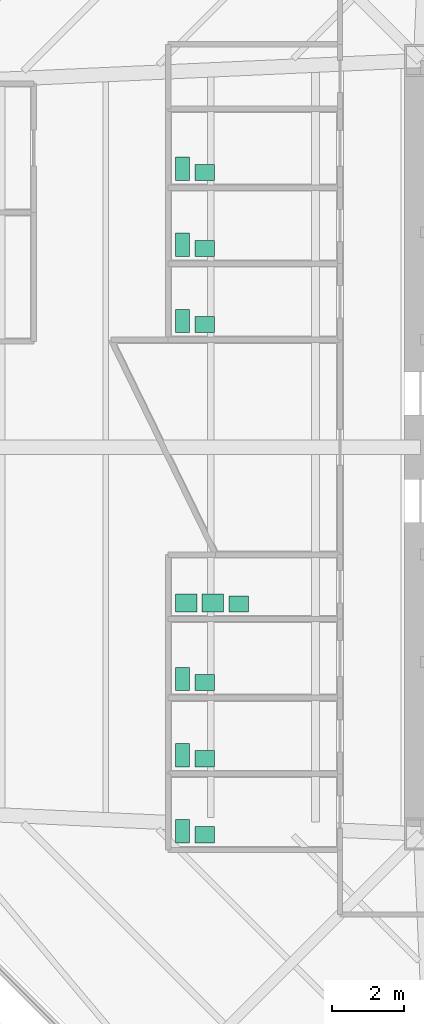
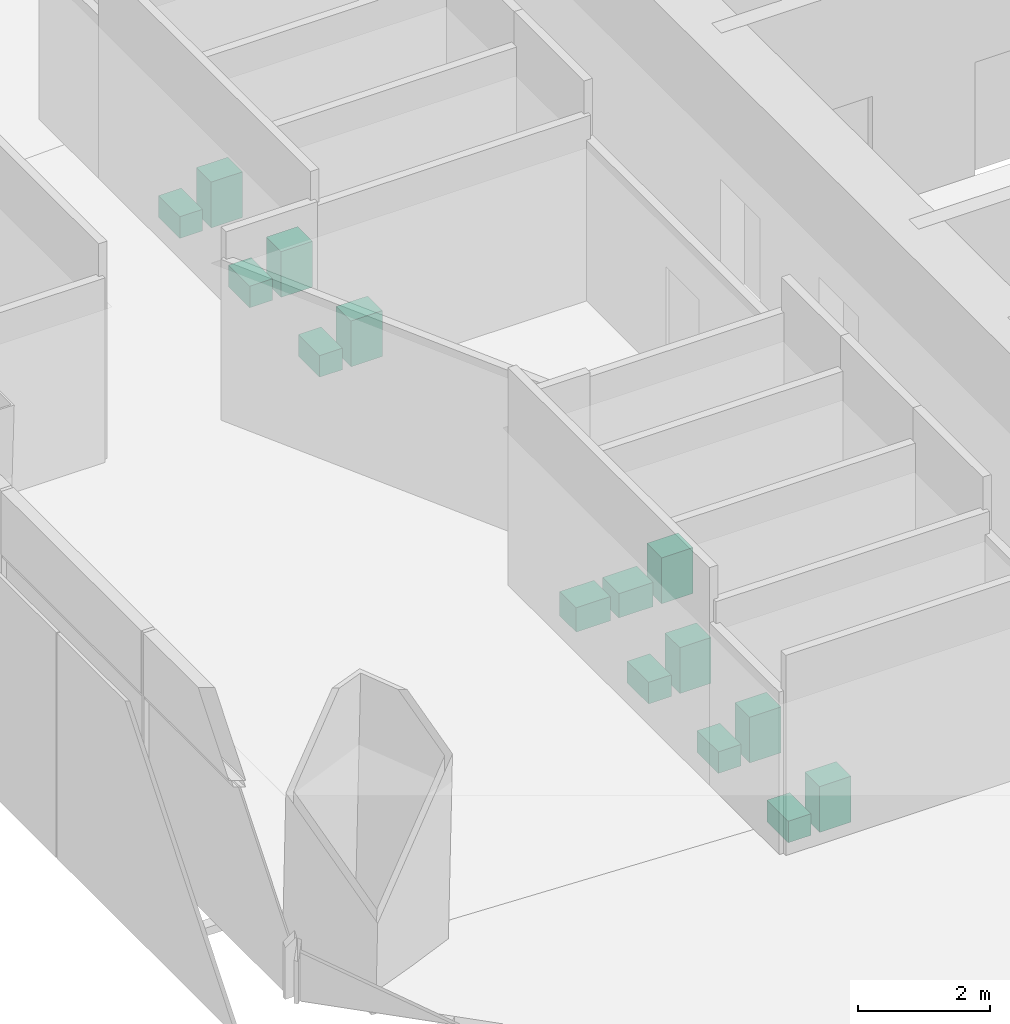
# One storey, part 15 of 15: 15 sanitary terminals.
"""IFC4 building model written with IfcOpenShell, lengths in metres."""

from ifc_helpers import new_model, si_unit, direction, frame, origin, origin_2d, place, context, subcontext, project, spatial, rectangle, extrude, material, type_object, element, save


model = new_model("IFC4")

# Units and contexts
model_context = context("Model", 3, precision=1e-05, world=origin(), true_north=direction((0.0, 1.0)))
body_context = subcontext(model_context, "Body", "Model", "MODEL_VIEW")
ifc_project = project(units=[si_unit("LENGTHUNIT", "METRE"), si_unit("AREAUNIT", "SQUARE_METRE"), si_unit("VOLUMEUNIT", "CUBIC_METRE"), si_unit("PLANEANGLEUNIT", "RADIAN"), si_unit("MASSUNIT", "GRAM", prefix="KILO")], contexts=[model_context])

# Site, building, storey
site_placement = place(None, origin())
site = spatial("IfcSite", under=ifc_project, at=site_placement, CompositionType="ELEMENT")
building_placement = place(site_placement, origin())
building = spatial("IfcBuilding", under=site, at=building_placement, Name="Mashrafa Tower", CompositionType="ELEMENT")
storey_placement = place(building_placement, frame((0.0, 0.0, 62.39990234375)))
storey = spatial("IfcBuildingStorey", under=building, at=storey_placement, Name="L13", CompositionType="ELEMENT", Elevation=62.39990234375)

# Sanitary terminals
ifc_material_1 = material(Name="Stainless steel", Category="steel")
sanitary_terminal_type_1 = type_object("IfcSanitaryTerminalType", Name="Ablution wash station 600 x 500", PredefinedType="WASHHANDBASIN", material=ifc_material_1)
for number, where, z_axis, x_axis, name in (
    (1, (-17.35009765625, -4.35009765625, 0.0), (0.0, 0.0, 1.0), (1.0, 0.0, 0.0), "Ablution wash station Ablution Room L13 S"),
    (2, (-16.60009765625, -4.35009765625, 0.0), (0.0, 0.0, 1.0), (1.0, 0.0, 0.0), "Ablution wash station Ablution Room L13 S"),
):
    element("IfcSanitaryTerminal", number, at=place(storey_placement, frame(where, z_axis=z_axis, x_axis=x_axis)), inside=storey, type_object=sanitary_terminal_type_1, Name=name, PredefinedType="WASHHANDBASIN", context=body_context, shape_type="SweptSolid", body=[
        extrude(rectangle(XDim=0.60009765625, YDim=0.5, at=origin_2d()), origin(), (0.0, 0.0, 1.0), 0.449951171875),
    ])
ifc_material_2 = material(Name="Vitreous china")
sanitary_terminal_type_2 = type_object("IfcSanitaryTerminalType", Name="Toilet pan 400 x 650", PredefinedType="TOILETPAN", material=ifc_material_2)
for number, where, z_axis, x_axis, name in (
    (3, (-17.449951171875, 3.52490234375, 0.000244140625), (0.0, 0.0, 1.0), (1.0, 0.0, 0.0), "Toilet pan WC Female L13 N"),
    (4, (-17.449951171875, 5.64990234375, 0.000244140625), (0.0, 0.0, 1.0), (1.0, 0.0, 0.0), "Toilet pan WC Male L13 N"),
    (5, (-17.449951171875, 7.77490234375, 0.000244140625), (0.0, 0.0, 1.0), (1.0, 0.0, 0.0), "Toilet pan Accessible WC L13 N"),
    (6, (-17.449951171875, -10.72509765625, 0.000244140625), (0.0, 0.0, 1.0), (1.0, 0.0, 0.0), "Toilet pan WC Female L13 S"),
    (7, (-17.449951171875, -8.60009765625, 0.000244140625), (0.0, 0.0, 1.0), (1.0, 0.0, 0.0), "Toilet pan WC Male L13 S"),
    (8, (-17.449951171875, -6.47509765625, 0.000244140625), (0.0, 0.0, 1.0), (1.0, 0.0, 0.0), "Toilet pan Accessible WC L13 S"),
):
    element("IfcSanitaryTerminal", number, at=place(storey_placement, frame(where, z_axis=z_axis, x_axis=x_axis)), inside=storey, type_object=sanitary_terminal_type_2, Name=name, PredefinedType="TOILETPAN", context=body_context, shape_type="SweptSolid", body=[
        extrude(rectangle(XDim=0.39990234375, YDim=0.64990234375, at=origin_2d()), origin(), (0.0, 0.0, 1.0), 0.39990234375),
    ])
ifc_material_3 = material(Name="Vitreous china")
sanitary_terminal_type_3 = type_object("IfcSanitaryTerminalType", Name="Wash basin 550 x 450", PredefinedType="WASHHANDBASIN", material=ifc_material_3)
for number, where, z_axis, x_axis, name in (
    (9, (-16.824951171875, 3.425048828125, 0.0), (0.0, 0.0, 1.0), (1.0, 0.0, 0.0), "Wash basin WC Female L13 N"),
    (10, (-16.824951171875, 5.550048828125, 0.0), (0.0, 0.0, 1.0), (1.0, 0.0, 0.0), "Wash basin WC Male L13 N"),
    (11, (-16.824951171875, 7.675048828125, 0.0), (0.0, 0.0, 1.0), (1.0, 0.0, 0.0), "Wash basin Accessible WC L13 N"),
    (12, (-16.824951171875, -10.824951171875, 0.0), (0.0, 0.0, 1.0), (1.0, 0.0, 0.0), "Wash basin WC Female L13 S"),
    (13, (-16.824951171875, -8.699951171875, 0.0), (0.0, 0.0, 1.0), (1.0, 0.0, 0.0), "Wash basin WC Male L13 S"),
    (14, (-16.824951171875, -6.574951171875, 0.0), (0.0, 0.0, 1.0), (1.0, 0.0, 0.0), "Wash basin Accessible WC L13 S"),
    (15, (-15.875, -4.375, 0.0), (0.0, 0.0, 1.0), (1.0, 0.0, 0.0), "Wash basin Ablution Room L13 S"),
):
    element("IfcSanitaryTerminal", number, at=place(storey_placement, frame(where, z_axis=z_axis, x_axis=x_axis)), inside=storey, type_object=sanitary_terminal_type_3, Name=name, PredefinedType="WASHHANDBASIN", context=body_context, shape_type="SweptSolid", body=[
        extrude(rectangle(XDim=0.550048828125, YDim=0.449951171875, at=origin_2d()), origin(), (0.0, 0.0, 1.0), 0.85009765625),
    ])

save(model, "model.ifc")
